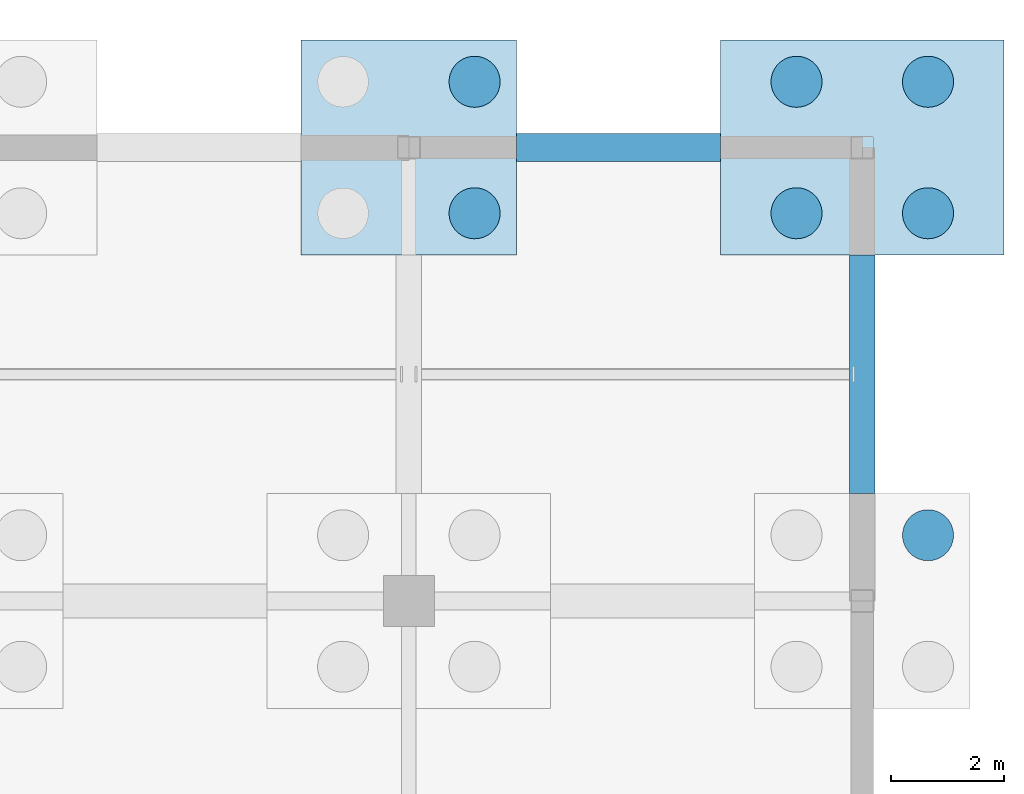
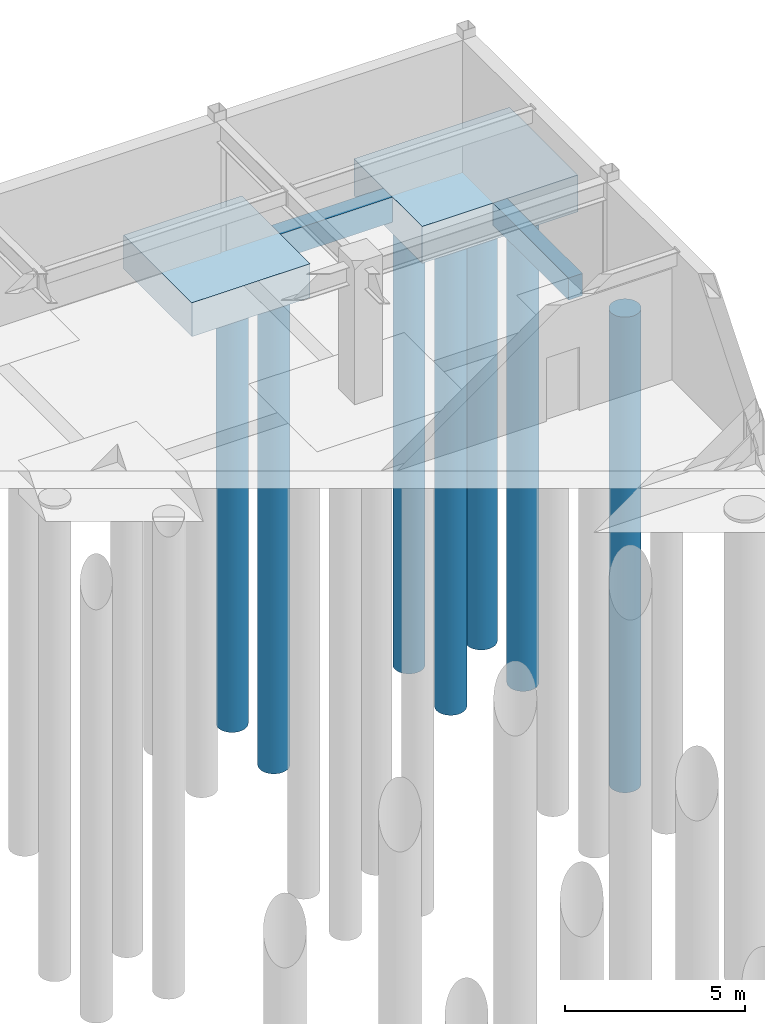
# One storey, part 12 of 105: 7 piles, 4 footings.
"""IFC4 building model written with IfcOpenShell, lengths in metres."""

from ifc_helpers import new_model, si_unit, direction, frame, origin, origin_2d, place, context, subcontext, project, spatial, rectangle, circle, extrude, material, material_profile, profile_set, type_object, element, save


model = new_model("IFC4")

# Units and contexts
model_context = context("Model", 3, precision=1e-05, world=origin(), true_north=direction((0.0, 1.0)))
body_context = subcontext(model_context, "Body", "Model", "MODEL_VIEW")
ifc_project = project(units=[si_unit("LENGTHUNIT", "METRE"), si_unit("AREAUNIT", "SQUARE_METRE"), si_unit("VOLUMEUNIT", "CUBIC_METRE"), si_unit("PLANEANGLEUNIT", "RADIAN"), si_unit("MASSUNIT", "GRAM", prefix="KILO")], contexts=[model_context])

# Site, building, storey
site_placement = place(None, origin())
site = spatial("IfcSite", under=ifc_project, at=site_placement, CompositionType="ELEMENT")
building_placement = place(site_placement, origin())
building = spatial("IfcBuilding", under=site, at=building_placement, Name="Solmirada Galleria", CompositionType="ELEMENT")
storey_placement = place(building_placement, frame((0.0, 0.0, -4.800048828125)))
storey = spatial("IfcBuildingStorey", under=building, at=storey_placement, Name="B1", CompositionType="ELEMENT", Elevation=-4.800048828125)

# Footings
ifc_material_1 = material(Name="Concrete C35/45", Category="concrete")
footing_type_1 = type_object("IfcFootingType", Name="PC-05", PredefinedType="PILE_CAP", material=ifc_material_1)
footing_1_placement = place(storey_placement, frame((168.0, 120.0, -1.14990234375), z_axis=(0.0, 0.0, 1.0), x_axis=(1.0, 0.0, 0.0)))
element("IfcFooting", 1, at=footing_1_placement, inside=storey, type_object=footing_type_1, Name="Pile cap at (168.0, 120.0)", PredefinedType="PILE_CAP", context=body_context, shape_type="SweptSolid", body=[
    extrude(rectangle(XDim=3.800048828125, YDim=3.800048828125, at=origin_2d()), origin(), (0.0, 0.0, 1.0), 1.14990234375),
])
footing_type_2 = type_object("IfcFootingType", Name="PC-09", PredefinedType="PILE_CAP", material=ifc_material_1)
footing_2_placement = place(storey_placement, frame((176.0, 120.0, -1.25), z_axis=(0.0, 0.0, 1.0), x_axis=(1.0, 0.0, 0.0)))
element("IfcFooting", 2, at=footing_2_placement, inside=storey, type_object=footing_type_2, Name="Pile cap at (176.0, 120.0)", PredefinedType="PILE_CAP", context=body_context, shape_type="SweptSolid", body=[
    extrude(rectangle(XDim=5.0, YDim=3.800048828125, at=origin_2d()), origin(), (0.0, 0.0, 1.0), 1.25),
])

# Piles
ifc_material_2 = material(Name="Concrete C40/50", Category="concrete")
ifc_material_profile_1 = material_profile(ifc_material_2, circle(Radius=0.449951171875, at=origin_2d()), Name="PILE900")
ifc_profile_set_1 = profile_set([ifc_material_profile_1], Name="Concrete C40/50")
pile_type = type_object("IfcPileType", Name="PILE-900", PredefinedType="BORED", material=ifc_profile_set_1)
for number, where, z_axis, x_axis, name in (
    (3, (169.159912109375, 118.840087890625, -1.050048828125), (0.0, 0.0, -1.0), (1.0, 0.0, 0.0), "Bored pile at (169.16, 118.84)"),
    (4, (169.159912109375, 121.159912109375, -1.050048828125), (0.0, 0.0, -1.0), (1.0, 0.0, 0.0), "Bored pile at (169.16, 121.16)"),
    (5, (177.159912109375, 113.159912109375, -1.050048828125), (0.0, 0.0, -1.0), (1.0, 0.0, 0.0), "Bored pile at (177.16, 113.16)"),
):
    element("IfcPile", number, at=place(storey_placement, frame(where, z_axis=z_axis, x_axis=x_axis)), inside=storey, type_object=pile_type, Name=name, PredefinedType="BORED", context=body_context, shape_type="SweptSolid", body=[
        extrude(circle(Radius=0.449951171875, at=origin_2d()), origin(), (0.0, 0.0, 1.0), 16.14990234375),
    ])
for number, where, z_axis, x_axis, name in (
    (6, (174.840087890625, 118.840087890625, -1.14990234375), (0.0, 0.0, -1.0), (1.0, 0.0, 0.0), "Bored pile at (174.84, 118.84)"),
    (7, (177.159912109375, 118.840087890625, -1.14990234375), (0.0, 0.0, -1.0), (1.0, 0.0, 0.0), "Bored pile at (177.16, 118.84)"),
    (8, (174.840087890625, 121.159912109375, -1.14990234375), (0.0, 0.0, -1.0), (1.0, 0.0, 0.0), "Bored pile at (174.84, 121.16)"),
    (9, (177.159912109375, 121.159912109375, -1.14990234375), (0.0, 0.0, -1.0), (1.0, 0.0, 0.0), "Bored pile at (177.16, 121.16)"),
):
    element("IfcPile", number, at=place(storey_placement, frame(where, z_axis=z_axis, x_axis=x_axis)), inside=storey, type_object=pile_type, Name=name, PredefinedType="BORED", context=body_context, shape_type="SweptSolid", body=[
        extrude(circle(Radius=0.449951171875, at=origin_2d()), origin(), (0.0, 0.0, 1.0), 16.050048828125),
    ])

# Footings
ifc_material_profile_2 = material_profile(ifc_material_1, rectangle(XDim=0.449951171875, YDim=0.75, at=origin_2d()), Name="RC750X450")
ifc_profile_set_2 = profile_set([ifc_material_profile_2], Name="Concrete C35/45")
footing_type_3 = type_object("IfcFootingType", Name="TB-750X450", PredefinedType="FOOTING_BEAM", material=ifc_profile_set_2)
footing_3_placement = place(storey_placement, frame((176.0, 113.89990234375, -0.375), z_axis=(0.0, 1.0, 0.0), x_axis=(-1.0, 0.0, 0.0)))
element("IfcFooting", 10, at=footing_3_placement, inside=storey, type_object=footing_type_3, Name="Foundation tie beam Y (176, 112..120)", PredefinedType="FOOTING_BEAM", context=body_context, shape_type="SweptSolid", body=[
    extrude(rectangle(XDim=0.449951171875, YDim=0.75, at=origin_2d()), origin(), (0.0, 0.0, 1.0), 4.2001953125),
])
ifc_material_profile_3 = material_profile(ifc_material_1, rectangle(XDim=0.5, YDim=0.85009765625, at=origin_2d()), Name="RC850X500")
ifc_profile_set_3 = profile_set([ifc_material_profile_3], Name="Concrete C35/45")
footing_type_4 = type_object("IfcFootingType", Name="TB-850X500", PredefinedType="FOOTING_BEAM", material=ifc_profile_set_3)
footing_4_placement = place(storey_placement, frame((169.89990234375, 120.0, -0.425048828125), z_axis=(1.0, 0.0, 0.0), x_axis=(0.0, 1.0, 0.0)))
element("IfcFooting", 11, at=footing_4_placement, inside=storey, type_object=footing_type_4, Name="Foundation tie beam X (168..176, 120)", PredefinedType="FOOTING_BEAM", context=body_context, shape_type="SweptSolid", body=[
    extrude(rectangle(XDim=0.5, YDim=0.85009765625, at=origin_2d()), origin(), (0.0, 0.0, 1.0), 3.60009765625),
])

save(model, "model.ifc")
